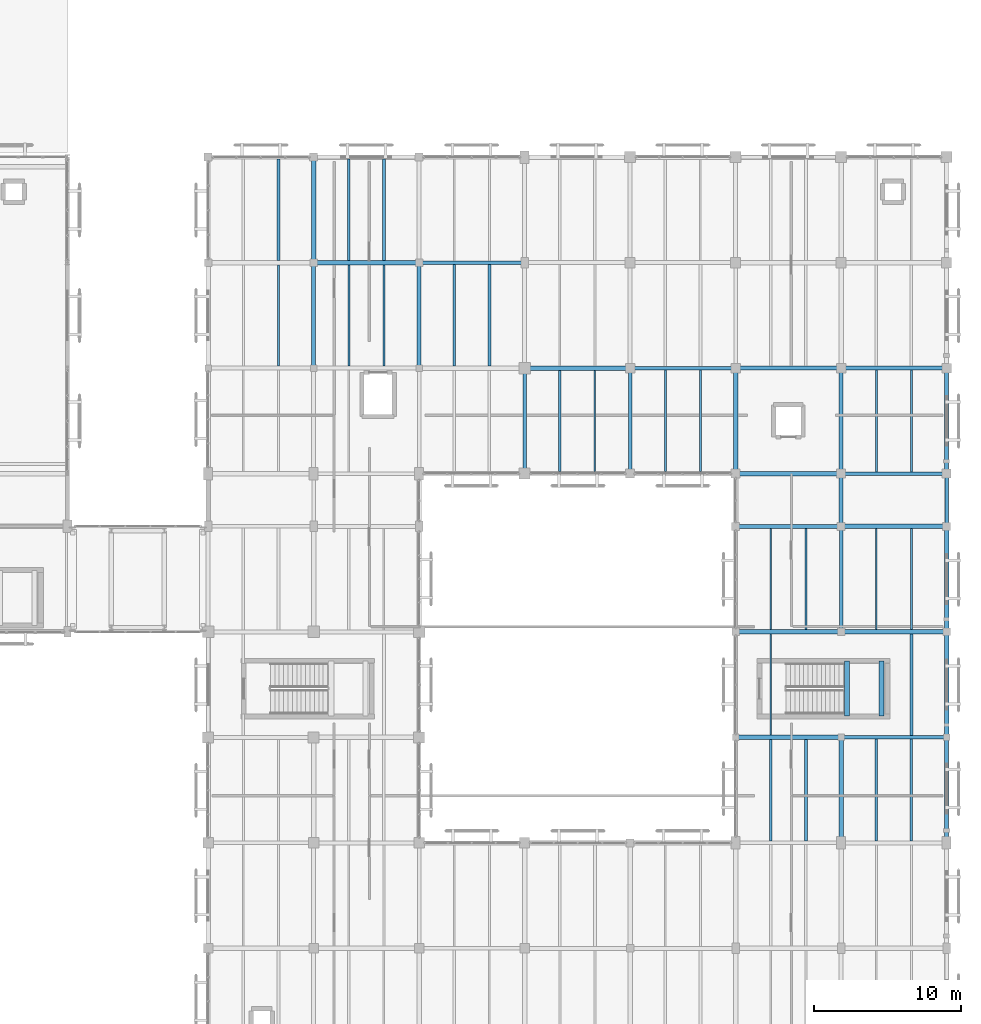
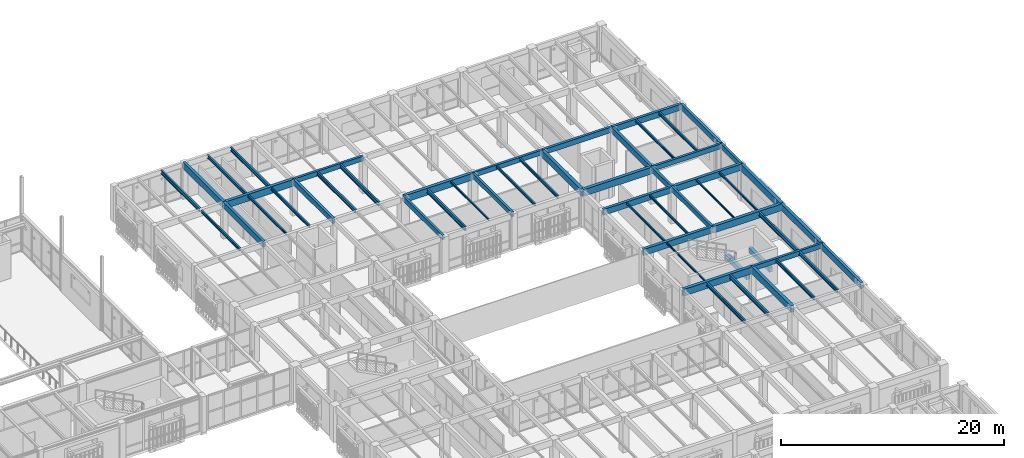
# One storey, part 110 of 170: 55 beams.
"""IFC4 building model written with IfcOpenShell, lengths in metres."""

from ifc_helpers import new_model, si_unit, direction, frame, origin, origin_2d, place, context, subcontext, project, spatial, rectangle, i_section, extrude, material, material_profile, profile_set, type_object, element, save


model = new_model("IFC4")

# Units and contexts
model_context = context("Model", 3, precision=1e-05, world=origin(), true_north=direction((0.0, 1.0)))
body_context = subcontext(model_context, "Body", "Model", "MODEL_VIEW")
ifc_project = project(units=[si_unit("LENGTHUNIT", "METRE"), si_unit("AREAUNIT", "SQUARE_METRE"), si_unit("VOLUMEUNIT", "CUBIC_METRE"), si_unit("PLANEANGLEUNIT", "RADIAN"), si_unit("MASSUNIT", "GRAM", prefix="KILO")], contexts=[model_context])

# Site, building, storey
site_placement = place(None, origin())
site = spatial("IfcSite", under=ifc_project, at=site_placement, CompositionType="ELEMENT")
building_placement = place(site_placement, origin())
building = spatial("IfcBuilding", under=site, at=building_placement, Name="Mazaris Harbour Polytechnic", CompositionType="ELEMENT")
storey_placement = place(building_placement, frame((0.0, 0.0, 5.39990234375)))
storey = spatial("IfcBuildingStorey", under=building, at=storey_placement, Name="L01", CompositionType="ELEMENT", Elevation=5.39990234375)

# Beams
ifc_material_1 = material(Name="Glulam GL32h", Category="wood")
ifc_material_profile_1 = material_profile(ifc_material_1, rectangle(XDim=0.239990234375, YDim=0.52001953125, at=origin_2d()), Name="RECT240x520")
ifc_profile_set_1 = profile_set([ifc_material_profile_1], Name="Glulam GL32h")
beam_type_1 = type_object("IfcBeamType", Name="Glulam Girder 240x520", PredefinedType="BEAM", material=ifc_profile_set_1)
for number, where, z_axis, x_axis, name in (
    (1, (165.60009765625, 68.39990234375, 3.66015625), (1.0, 0.0, 0.0), (0.0, 1.0, 0.0), "V5 L01 Girder 2930"),
    (2, (165.60009765625, 86.39990234375, 3.66015625), (1.0, 0.0, 0.0), (0.0, 1.0, 0.0), "V5 L01 Girder 2945"),
    (3, (151.199951171875, 93.60009765625, 3.66015625), (1.0, 0.0, 0.0), (0.0, 1.0, 0.0), "V5 L01 Girder 2950"),
    (4, (136.800048828125, 100.800048828125, 3.66015625), (1.0, 0.0, 0.0), (0.0, 1.0, 0.0), "V5 L01 Girder 2955"),
):
    element("IfcBeam", number, at=place(storey_placement, frame(where, z_axis=z_axis, x_axis=x_axis)), inside=storey, type_object=beam_type_1, Name=name, PredefinedType="BEAM", context=body_context, shape_type="SweptSolid", body=[
        extrude(rectangle(XDim=0.239990234375, YDim=0.52001953125, at=origin_2d()), origin(), (0.0, 0.0, 1.0), 7.199951171875),
    ])
for number, where, z_axis, x_axis, name in (
    (5, (144.0, 86.39990234375, 3.66015625), (0.0, 1.0, 0.0), (-1.0, 0.0, 0.0), "V5 L01 Tie Girder 2995"),
    (6, (151.199951171875, 86.39990234375, 3.66015625), (0.0, 1.0, 0.0), (-1.0, 0.0, 0.0), "V5 L01 Tie Girder 3000"),
):
    element("IfcBeam", number, at=place(storey_placement, frame(where, z_axis=z_axis, x_axis=x_axis)), inside=storey, type_object=beam_type_1, Name=name, PredefinedType="BEAM", context=body_context, shape_type="SweptSolid", body=[
        extrude(rectangle(XDim=0.239990234375, YDim=0.52001953125, at=origin_2d()), origin(), (0.0, 0.0, 1.0), 7.2001953125),
    ])
beam_1_placement = place(storey_placement, frame((165.60009765625, 75.60009765625, 3.66015625), z_axis=(0.0, 1.0, 0.0), x_axis=(-1.0, 0.0, 0.0)))
element("IfcBeam", 7, at=beam_1_placement, inside=storey, type_object=beam_type_1, Name="V5 L01 Tie Girder 3015", PredefinedType="BEAM", context=body_context, shape_type="SweptSolid", body=[
    extrude(rectangle(XDim=0.239990234375, YDim=0.52001953125, at=origin_2d()), origin(), (0.0, 0.0, 1.0), 7.199951171875),
])
ifc_material_2 = material(Name="Glulam GL32h", Category="wood")
ifc_material_profile_2 = material_profile(ifc_material_2, rectangle(XDim=0.239990234375, YDim=0.52001953125, at=origin_2d()), Name="RECT240x520")
ifc_profile_set_2 = profile_set([ifc_material_profile_2], Name="Glulam GL32h")
beam_type_2 = type_object("IfcBeamType", Name="Glulam Girder 240x520 Exterior", PredefinedType="BEAM", material=ifc_profile_set_2)
beam_2_placement = place(storey_placement, frame((172.800048828125, 82.800048828125, 3.66015625), z_axis=(0.0, 1.0, 0.0), x_axis=(-1.0, 0.0, 0.0)))
element("IfcBeam", 8, at=beam_2_placement, inside=storey, type_object=beam_type_2, Name="V5 L01 Tie Girder 3025", PredefinedType="BEAM", context=body_context, shape_type="SweptSolid", body=[
    extrude(rectangle(XDim=0.239990234375, YDim=0.52001953125, at=origin_2d()), origin(), (0.0, 0.0, 1.0), 3.599853515625),
])
ifc_material_3 = material(Name="Glulam GL32h", Category="wood")
ifc_material_profile_3 = material_profile(ifc_material_3, rectangle(XDim=0.260009765625, YDim=0.580078125, at=origin_2d()), Name="RECT260x580")
ifc_profile_set_3 = profile_set([ifc_material_profile_3], Name="Glulam GL32h")
beam_type_3 = type_object("IfcBeamType", Name="Glulam Girder 260x580", PredefinedType="BEAM", material=ifc_profile_set_3)
beam_3_placement = place(storey_placement, frame((158.39990234375, 93.60009765625, 3.630126953125), z_axis=(1.0, 0.0, 0.0), x_axis=(0.0, 1.0, 0.0)))
element("IfcBeam", 9, at=beam_3_placement, inside=storey, type_object=beam_type_3, Name="V5 L01 Girder 2951", PredefinedType="BEAM", context=body_context, shape_type="SweptSolid", body=[
    extrude(rectangle(XDim=0.260009765625, YDim=0.580078125, at=origin_2d()), origin(), (0.0, 0.0, 1.0), 7.2001953125),
])
beam_4_placement = place(storey_placement, frame((136.800048828125, 93.60009765625, 3.630126953125), z_axis=(0.0, 1.0, 0.0), x_axis=(-1.0, 0.0, 0.0)))
element("IfcBeam", 10, at=beam_4_placement, inside=storey, type_object=beam_type_3, Name="V5 L01 Tie Girder 2991", PredefinedType="BEAM", context=body_context, shape_type="SweptSolid", body=[
    extrude(rectangle(XDim=0.260009765625, YDim=0.580078125, at=origin_2d()), origin(), (0.0, 0.0, 1.0), 7.199951171875),
])
beam_5_placement = place(storey_placement, frame((165.60009765625, 82.800048828125, 3.630126953125), z_axis=(0.0, 1.0, 0.0), x_axis=(-1.0, 0.0, 0.0)))
element("IfcBeam", 11, at=beam_5_placement, inside=storey, type_object=beam_type_3, Name="V5 L01 Tie Girder 3016", PredefinedType="BEAM", context=body_context, shape_type="SweptSolid", body=[
    extrude(rectangle(XDim=0.260009765625, YDim=0.580078125, at=origin_2d()), origin(), (0.0, 0.0, 1.0), 3.599853515625),
])
ifc_material_4 = material(Name="Glulam GL32h", Category="wood")
ifc_material_profile_4 = material_profile(ifc_material_4, rectangle(XDim=0.260009765625, YDim=0.580078125, at=origin_2d()), Name="RECT260x580")
ifc_profile_set_4 = profile_set([ifc_material_profile_4], Name="Glulam GL32h")
beam_type_4 = type_object("IfcBeamType", Name="Glulam Girder 260x580 Exterior", PredefinedType="BEAM", material=ifc_profile_set_4)
beam_6_placement = place(storey_placement, frame((172.800048828125, 86.39990234375, 3.630126953125), z_axis=(0.0, 1.0, 0.0), x_axis=(-1.0, 0.0, 0.0)))
element("IfcBeam", 12, at=beam_6_placement, inside=storey, type_object=beam_type_4, Name="V5 L01 Tie Girder 3026", PredefinedType="BEAM", context=body_context, shape_type="SweptSolid", body=[
    extrude(rectangle(XDim=0.260009765625, YDim=0.580078125, at=origin_2d()), origin(), (0.0, 0.0, 1.0), 7.2001953125),
])
ifc_material_5 = material(Name="Glulam GL32h", Category="wood")
ifc_material_profile_5 = material_profile(ifc_material_5, rectangle(XDim=0.280029296875, YDim=0.639892578125, at=origin_2d()), Name="RECT280x640")
ifc_profile_set_5 = profile_set([ifc_material_profile_5], Name="Glulam GL32h")
beam_type_5 = type_object("IfcBeamType", Name="Glulam Girder 280x640", PredefinedType="BEAM", material=ifc_profile_set_5)
beam_7_placement = place(storey_placement, frame((158.39990234375, 82.800048828125, 3.60009765625), z_axis=(1.0, 0.0, 0.0), x_axis=(0.0, 1.0, 0.0)))
element("IfcBeam", 13, at=beam_7_placement, inside=storey, type_object=beam_type_5, Name="V5 L01 Girder 2937", PredefinedType="BEAM", context=body_context, shape_type="SweptSolid", body=[
    extrude(rectangle(XDim=0.280029296875, YDim=0.639892578125, at=origin_2d()), origin(), (0.0, 0.0, 1.0), 7.2001953125),
])
for number, where, z_axis, x_axis, name in (
    (14, (165.60009765625, 93.60009765625, 3.60009765625), (1.0, 0.0, 0.0), (0.0, 1.0, 0.0), "V5 L01 Girder 2952"),
    (15, (129.60009765625, 93.60009765625, 3.60009765625), (0.0, 1.0, 0.0), (-1.0, 0.0, 0.0), "V5 L01 Tie Girder 2982"),
):
    element("IfcBeam", number, at=place(storey_placement, frame(where, z_axis=z_axis, x_axis=x_axis)), inside=storey, type_object=beam_type_5, Name=name, PredefinedType="BEAM", context=body_context, shape_type="SweptSolid", body=[
        extrude(rectangle(XDim=0.280029296875, YDim=0.639892578125, at=origin_2d()), origin(), (0.0, 0.0, 1.0), 7.199951171875),
    ])
beam_8_placement = place(storey_placement, frame((165.60009765625, 86.39990234375, 3.60009765625), z_axis=(0.0, 1.0, 0.0), x_axis=(-1.0, 0.0, 0.0)))
element("IfcBeam", 16, at=beam_8_placement, inside=storey, type_object=beam_type_5, Name="V5 L01 Tie Girder 3017", PredefinedType="BEAM", context=body_context, shape_type="SweptSolid", body=[
    extrude(rectangle(XDim=0.280029296875, YDim=0.639892578125, at=origin_2d()), origin(), (0.0, 0.0, 1.0), 7.2001953125),
])
ifc_material_6 = material(Name="Glulam GL32h", Category="wood")
ifc_material_profile_6 = material_profile(ifc_material_6, rectangle(XDim=0.280029296875, YDim=0.639892578125, at=origin_2d()), Name="RECT280x640")
ifc_profile_set_6 = profile_set([ifc_material_profile_6], Name="Glulam GL32h")
beam_type_6 = type_object("IfcBeamType", Name="Glulam Girder 280x640 Exterior", PredefinedType="BEAM", material=ifc_profile_set_6)
beam_9_placement = place(storey_placement, frame((172.800048828125, 61.199951171875, 3.60009765625), z_axis=(0.0, 1.0, 0.0), x_axis=(-1.0, 0.0, 0.0)))
element("IfcBeam", 17, at=beam_9_placement, inside=storey, type_object=beam_type_6, Name="V5 L01 Tie Girder 3022", PredefinedType="BEAM", context=body_context, shape_type="SweptSolid", body=[
    extrude(rectangle(XDim=0.280029296875, YDim=0.639892578125, at=origin_2d()), origin(), (0.0, 0.0, 1.0), 7.199951171875),
])
ifc_material_7 = material(Name="Glulam GL32h", Category="wood")
ifc_material_profile_7 = material_profile(ifc_material_7, rectangle(XDim=0.300048828125, YDim=0.679931640625, at=origin_2d()), Name="RECT300x680")
ifc_profile_set_7 = profile_set([ifc_material_profile_7], Name="Glulam GL32h")
beam_type_7 = type_object("IfcBeamType", Name="Glulam Girder 300x680", PredefinedType="BEAM", material=ifc_profile_set_7)
beam_10_placement = place(storey_placement, frame((158.39990234375, 75.60009765625, 3.580078125), z_axis=(1.0, 0.0, 0.0), x_axis=(0.0, 1.0, 0.0)))
element("IfcBeam", 18, at=beam_10_placement, inside=storey, type_object=beam_type_7, Name="V5 L01 Girder 2933", PredefinedType="BEAM", context=body_context, shape_type="SweptSolid", body=[
    extrude(rectangle(XDim=0.300048828125, YDim=0.679931640625, at=origin_2d()), origin(), (0.0, 0.0, 1.0), 7.2001953125),
])
for number, where, z_axis, x_axis, name in (
    (19, (165.60009765625, 82.800048828125, 3.580078125), (1.0, 0.0, 0.0), (0.0, 1.0, 0.0), "V5 L01 Girder 2938"),
    (20, (129.60009765625, 100.800048828125, 3.580078125), (0.0, 1.0, 0.0), (-1.0, 0.0, 0.0), "V5 L01 Tie Girder 2983"),
):
    element("IfcBeam", number, at=place(storey_placement, frame(where, z_axis=z_axis, x_axis=x_axis)), inside=storey, type_object=beam_type_7, Name=name, PredefinedType="BEAM", context=body_context, shape_type="SweptSolid", body=[
        extrude(rectangle(XDim=0.300048828125, YDim=0.679931640625, at=origin_2d()), origin(), (0.0, 0.0, 1.0), 7.199951171875),
    ])
ifc_material_8 = material(Name="Glulam GL32h", Category="wood")
ifc_material_profile_8 = material_profile(ifc_material_8, rectangle(XDim=0.300048828125, YDim=0.679931640625, at=origin_2d()), Name="RECT300x680")
ifc_profile_set_8 = profile_set([ifc_material_profile_8], Name="Glulam GL32h")
beam_type_8 = type_object("IfcBeamType", Name="Glulam Girder 300x680 Exterior", PredefinedType="BEAM", material=ifc_profile_set_8)
beam_11_placement = place(storey_placement, frame((172.800048828125, 68.39990234375, 3.580078125), z_axis=(0.0, 1.0, 0.0), x_axis=(-1.0, 0.0, 0.0)))
element("IfcBeam", 21, at=beam_11_placement, inside=storey, type_object=beam_type_8, Name="V5 L01 Tie Girder 3023", PredefinedType="BEAM", context=body_context, shape_type="SweptSolid", body=[
    extrude(rectangle(XDim=0.300048828125, YDim=0.679931640625, at=origin_2d()), origin(), (0.0, 0.0, 1.0), 7.2001953125),
])
ifc_material_9 = material(Name="Glulam GL32h", Category="wood")
ifc_material_profile_9 = material_profile(ifc_material_9, rectangle(XDim=0.320068359375, YDim=0.739990234375, at=origin_2d()), Name="RECT320x740")
ifc_profile_set_9 = profile_set([ifc_material_profile_9], Name="Glulam GL32h")
beam_type_9 = type_object("IfcBeamType", Name="Glulam Girder 320x740", PredefinedType="BEAM", material=ifc_profile_set_9)
beam_12_placement = place(storey_placement, frame((158.39990234375, 68.39990234375, 3.550048828125), z_axis=(1.0, 0.0, 0.0), x_axis=(0.0, 1.0, 0.0)))
element("IfcBeam", 22, at=beam_12_placement, inside=storey, type_object=beam_type_9, Name="V5 L01 Girder 2929", PredefinedType="BEAM", context=body_context, shape_type="SweptSolid", body=[
    extrude(rectangle(XDim=0.320068359375, YDim=0.739990234375, at=origin_2d()), origin(), (0.0, 0.0, 1.0), 7.2001953125),
])
beam_13_placement = place(storey_placement, frame((165.60009765625, 75.60009765625, 3.550048828125), z_axis=(1.0, 0.0, 0.0), x_axis=(0.0, 1.0, 0.0)))
element("IfcBeam", 23, at=beam_13_placement, inside=storey, type_object=beam_type_9, Name="V5 L01 Girder 2934", PredefinedType="BEAM", context=body_context, shape_type="SweptSolid", body=[
    extrude(rectangle(XDim=0.320068359375, YDim=0.739990234375, at=origin_2d()), origin(), (0.0, 0.0, 1.0), 7.199951171875),
])
beam_14_placement = place(storey_placement, frame((158.39990234375, 86.39990234375, 3.550048828125), z_axis=(1.0, 0.0, 0.0), x_axis=(0.0, 1.0, 0.0)))
element("IfcBeam", 24, at=beam_14_placement, inside=storey, type_object=beam_type_9, Name="V5 L01 Girder 2944", PredefinedType="BEAM", context=body_context, shape_type="SweptSolid", body=[
    extrude(rectangle(XDim=0.320068359375, YDim=0.739990234375, at=origin_2d()), origin(), (0.0, 0.0, 1.0), 7.2001953125),
])
for number, where, z_axis, x_axis, name in (
    (25, (144.0, 93.60009765625, 3.550048828125), (1.0, 0.0, 0.0), (0.0, 1.0, 0.0), "V5 L01 Girder 2949"),
    (26, (129.60009765625, 100.800048828125, 3.550048828125), (1.0, 0.0, 0.0), (0.0, 1.0, 0.0), "V5 L01 Girder 2954"),
):
    element("IfcBeam", number, at=place(storey_placement, frame(where, z_axis=z_axis, x_axis=x_axis)), inside=storey, type_object=beam_type_9, Name=name, PredefinedType="BEAM", context=body_context, shape_type="SweptSolid", body=[
        extrude(rectangle(XDim=0.320068359375, YDim=0.739990234375, at=origin_2d()), origin(), (0.0, 0.0, 1.0), 7.199951171875),
    ])
beam_15_placement = place(storey_placement, frame((158.39990234375, 86.39990234375, 3.550048828125), z_axis=(0.0, 1.0, 0.0), x_axis=(-1.0, 0.0, 0.0)))
element("IfcBeam", 27, at=beam_15_placement, inside=storey, type_object=beam_type_9, Name="V5 L01 Tie Girder 3009", PredefinedType="BEAM", context=body_context, shape_type="SweptSolid", body=[
    extrude(rectangle(XDim=0.320068359375, YDim=0.739990234375, at=origin_2d()), origin(), (0.0, 0.0, 1.0), 7.2001953125),
])
beam_16_placement = place(storey_placement, frame((165.60009765625, 61.199951171875, 3.550048828125), z_axis=(0.0, 1.0, 0.0), x_axis=(-1.0, 0.0, 0.0)))
element("IfcBeam", 28, at=beam_16_placement, inside=storey, type_object=beam_type_9, Name="V5 L01 Tie Girder 3014", PredefinedType="BEAM", context=body_context, shape_type="SweptSolid", body=[
    extrude(rectangle(XDim=0.320068359375, YDim=0.739990234375, at=origin_2d()), origin(), (0.0, 0.0, 1.0), 7.199951171875),
])
ifc_material_10 = material(Name="Glulam GL32h", Category="wood")
ifc_material_profile_10 = material_profile(ifc_material_10, rectangle(XDim=0.320068359375, YDim=0.739990234375, at=origin_2d()), Name="RECT320x740")
ifc_profile_set_10 = profile_set([ifc_material_profile_10], Name="Glulam GL32h")
beam_type_10 = type_object("IfcBeamType", Name="Glulam Girder 320x740 Exterior", PredefinedType="BEAM", material=ifc_profile_set_10)
beam_17_placement = place(storey_placement, frame((172.800048828125, 75.60009765625, 3.550048828125), z_axis=(0.0, 1.0, 0.0), x_axis=(-1.0, 0.0, 0.0)))
element("IfcBeam", 29, at=beam_17_placement, inside=storey, type_object=beam_type_10, Name="V5 L01 Tie Girder 3024", PredefinedType="BEAM", context=body_context, shape_type="SweptSolid", body=[
    extrude(rectangle(XDim=0.320068359375, YDim=0.739990234375, at=origin_2d()), origin(), (0.0, 0.0, 1.0), 7.199951171875),
])
ifc_material_11 = material(Name="Concrete C40/50", Category="concrete")
ifc_material_profile_11 = material_profile(ifc_material_11, rectangle(XDim=0.35009765625, YDim=0.52001953125, at=origin_2d()), Name="RECT350x520")
ifc_profile_set_11 = profile_set([ifc_material_profile_11], Name="Concrete C40/50")
beam_type_11 = type_object("IfcBeamType", Name="RC Landing Bearer 350x520", PredefinedType="BEAM", material=ifc_profile_set_11)
for number, where, z_axis, x_axis, name in (
    (30, (166.0, 69.85009765625, 1.64013671875), (0.0, 1.0, 0.0), (-1.0, 0.0, 0.0), "Core ST10 L01 Landing Bearer"),
    (31, (168.35009765625, 69.85009765625, 1.64013671875), (0.0, 1.0, 0.0), (-1.0, 0.0, 0.0), "Core ST10 L01 Landing Bearer"),
):
    element("IfcBeam", number, at=place(storey_placement, frame(where, z_axis=z_axis, x_axis=x_axis)), inside=storey, type_object=beam_type_11, Name=name, PredefinedType="BEAM", context=body_context, shape_type="SweptSolid", body=[
        extrude(rectangle(XDim=0.35009765625, YDim=0.52001953125, at=origin_2d()), origin(), (0.0, 0.0, 1.0), 3.75),
    ])
ifc_material_12 = material(Name="Steel S355", Category="steel")
ifc_material_profile_12 = material_profile(ifc_material_12, i_section(OverallWidth=0.10009765625, OverallDepth=0.199951171875, WebThickness=0.005615234375, FlangeThickness=0.008544921875, FilletRadius=0.011962890625, at=origin_2d()), Name="IPE 200")
ifc_profile_set_12 = profile_set([ifc_material_profile_12], Name="Steel S355")
beam_type_12 = type_object("IfcBeamType", Name="Steel Joist IPE200", PredefinedType="JOIST", material=ifc_profile_set_12)
beam_18_placement = place(storey_placement, frame((148.800048828125, 86.5400390625, 3.820068359375), z_axis=(0.0, 1.0, 0.0), x_axis=(-1.0, 0.0, 0.0)))
element("IfcBeam", 32, at=beam_18_placement, inside=storey, type_object=beam_type_12, Name="V5 L01 Floor Joist 3073", PredefinedType="JOIST", context=body_context, shape_type="SweptSolid", body=[
    extrude(i_section(OverallWidth=0.10009765625, OverallDepth=0.199951171875, WebThickness=0.005615234375, FlangeThickness=0.008544921875, FilletRadius=0.011962890625, at=origin_2d()), origin(), (0.0, 0.0, 1.0), 6.89990234375),
])
for number, where, z_axis, x_axis, name in (
    (33, (160.800048828125, 68.56005859375, 3.820068359375), (0.0, 1.0, 0.0), (-1.0, 0.0, 0.0), "V5 L01 Floor Joist 3094"),
    (34, (168.0, 75.760009765625, 3.820068359375), (0.0, 1.0, 0.0), (-1.0, 0.0, 0.0), "V5 L01 Floor Joist 3108"),
):
    element("IfcBeam", number, at=place(storey_placement, frame(where, z_axis=z_axis, x_axis=x_axis)), inside=storey, type_object=beam_type_12, Name=name, PredefinedType="JOIST", context=body_context, shape_type="SweptSolid", body=[
        extrude(i_section(OverallWidth=0.10009765625, OverallDepth=0.199951171875, WebThickness=0.005615234375, FlangeThickness=0.008544921875, FilletRadius=0.011962890625, at=origin_2d()), origin(), (0.0, 0.0, 1.0), 6.889892578125),
    ])
ifc_material_13 = material(Name="Steel S355", Category="steel")
ifc_material_profile_13 = material_profile(ifc_material_13, i_section(OverallWidth=0.1201171875, OverallDepth=0.239990234375, WebThickness=0.006103515625, FlangeThickness=0.009765625, FilletRadius=0.014892578125, at=origin_2d()), Name="IPE 240")
ifc_profile_set_13 = profile_set([ifc_material_profile_13], Name="Steel S355")
beam_type_13 = type_object("IfcBeamType", Name="Steel Joist IPE240", PredefinedType="JOIST", material=ifc_profile_set_13)
beam_19_placement = place(storey_placement, frame((160.800048828125, 75.75, 3.800048828125), z_axis=(0.0, 1.0, 0.0), x_axis=(-1.0, 0.0, 0.0)))
element("IfcBeam", 35, at=beam_19_placement, inside=storey, type_object=beam_type_13, Name="V5 L01 Floor Joist 3095", PredefinedType="JOIST", context=body_context, shape_type="SweptSolid", body=[
    extrude(i_section(OverallWidth=0.1201171875, OverallDepth=0.239990234375, WebThickness=0.006103515625, FlangeThickness=0.009765625, FilletRadius=0.014892578125, at=origin_2d()), origin(), (0.0, 0.0, 1.0), 6.909912109375),
])
beam_20_placement = place(storey_placement, frame((170.39990234375, 75.760009765625, 3.800048828125), z_axis=(0.0, 1.0, 0.0), x_axis=(-1.0, 0.0, 0.0)))
element("IfcBeam", 36, at=beam_20_placement, inside=storey, type_object=beam_type_13, Name="V5 L01 Floor Joist 3109", PredefinedType="JOIST", context=body_context, shape_type="SweptSolid", body=[
    extrude(i_section(OverallWidth=0.1201171875, OverallDepth=0.239990234375, WebThickness=0.006103515625, FlangeThickness=0.009765625, FilletRadius=0.014892578125, at=origin_2d()), origin(), (0.0, 0.0, 1.0), 6.889892578125),
])
ifc_material_14 = material(Name="Steel S355", Category="steel")
ifc_material_profile_14 = material_profile(ifc_material_14, i_section(OverallWidth=0.135009765625, OverallDepth=0.27001953125, WebThickness=0.006591796875, FlangeThickness=0.01025390625, FilletRadius=0.014892578125, at=origin_2d()), Name="IPE 270")
ifc_profile_set_14 = profile_set([ifc_material_profile_14], Name="Steel S355")
beam_type_14 = type_object("IfcBeamType", Name="Steel Joist IPE270", PredefinedType="JOIST", material=ifc_profile_set_14)
beam_21_placement = place(storey_placement, frame((132.0, 93.739990234375, 3.78515625), z_axis=(0.0, 1.0, 0.0), x_axis=(-1.0, 0.0, 0.0)))
element("IfcBeam", 37, at=beam_21_placement, inside=storey, type_object=beam_type_14, Name="V5 L01 Floor Joist 3054", PredefinedType="JOIST", context=body_context, shape_type="SweptSolid", body=[
    extrude(i_section(OverallWidth=0.135009765625, OverallDepth=0.27001953125, WebThickness=0.006591796875, FlangeThickness=0.01025390625, FilletRadius=0.014892578125, at=origin_2d()), origin(), (0.0, 0.0, 1.0), 6.89990234375),
])
beam_22_placement = place(storey_placement, frame((153.60009765625, 86.550048828125, 3.78515625), z_axis=(0.0, 1.0, 0.0), x_axis=(-1.0, 0.0, 0.0)))
element("IfcBeam", 38, at=beam_22_placement, inside=storey, type_object=beam_type_14, Name="V5 L01 Floor Joist 3082", PredefinedType="JOIST", context=body_context, shape_type="SweptSolid", body=[
    extrude(i_section(OverallWidth=0.135009765625, OverallDepth=0.27001953125, WebThickness=0.006591796875, FlangeThickness=0.01025390625, FilletRadius=0.014892578125, at=origin_2d()), origin(), (0.0, 0.0, 1.0), 6.929931640625),
])
beam_23_placement = place(storey_placement, frame((163.199951171875, 75.75, 3.78515625), z_axis=(0.0, 1.0, 0.0), x_axis=(-1.0, 0.0, 0.0)))
element("IfcBeam", 39, at=beam_23_placement, inside=storey, type_object=beam_type_14, Name="V5 L01 Floor Joist 3096", PredefinedType="JOIST", context=body_context, shape_type="SweptSolid", body=[
    extrude(i_section(OverallWidth=0.135009765625, OverallDepth=0.27001953125, WebThickness=0.006591796875, FlangeThickness=0.01025390625, FilletRadius=0.014892578125, at=origin_2d()), origin(), (0.0, 0.0, 1.0), 6.909912109375),
])
beam_24_placement = place(storey_placement, frame((168.0, 86.52001953125, 3.78515625), z_axis=(0.0, 1.0, 0.0), x_axis=(-1.0, 0.0, 0.0)))
element("IfcBeam", 40, at=beam_24_placement, inside=storey, type_object=beam_type_14, Name="V5 L01 Floor Joist 3110", PredefinedType="JOIST", context=body_context, shape_type="SweptSolid", body=[
    extrude(i_section(OverallWidth=0.135009765625, OverallDepth=0.27001953125, WebThickness=0.006591796875, FlangeThickness=0.01025390625, FilletRadius=0.014892578125, at=origin_2d()), origin(), (0.0, 0.0, 1.0), 6.93994140625),
])
ifc_material_15 = material(Name="Steel S355", Category="steel")
ifc_material_profile_15 = material_profile(ifc_material_15, i_section(OverallWidth=0.14990234375, OverallDepth=0.300048828125, WebThickness=0.007080078125, FlangeThickness=0.0107421875, FilletRadius=0.014892578125, at=origin_2d()), Name="IPE 300")
ifc_profile_set_15 = profile_set([ifc_material_profile_15], Name="Steel S355")
beam_type_15 = type_object("IfcBeamType", Name="Steel Joist IPE300", PredefinedType="JOIST", material=ifc_profile_set_15)
beam_25_placement = place(storey_placement, frame((127.199951171875, 93.72998046875, 3.77001953125), z_axis=(0.0, 1.0, 0.0), x_axis=(-1.0, 0.0, 0.0)))
element("IfcBeam", 41, at=beam_25_placement, inside=storey, type_object=beam_type_15, Name="V5 L01 Floor Joist 3041", PredefinedType="JOIST", context=body_context, shape_type="SweptSolid", body=[
    extrude(i_section(OverallWidth=0.14990234375, OverallDepth=0.300048828125, WebThickness=0.007080078125, FlangeThickness=0.0107421875, FilletRadius=0.014892578125, at=origin_2d()), origin(), (0.0, 0.0, 1.0), 6.919921875),
])
beam_26_placement = place(storey_placement, frame((134.39990234375, 93.739990234375, 3.77001953125), z_axis=(0.0, 1.0, 0.0), x_axis=(-1.0, 0.0, 0.0)))
element("IfcBeam", 42, at=beam_26_placement, inside=storey, type_object=beam_type_15, Name="V5 L01 Floor Joist 3055", PredefinedType="JOIST", context=body_context, shape_type="SweptSolid", body=[
    extrude(i_section(OverallWidth=0.14990234375, OverallDepth=0.300048828125, WebThickness=0.007080078125, FlangeThickness=0.0107421875, FilletRadius=0.014892578125, at=origin_2d()), origin(), (0.0, 0.0, 1.0), 6.89990234375),
])
beam_27_placement = place(storey_placement, frame((156.0, 86.550048828125, 3.77001953125), z_axis=(0.0, 1.0, 0.0), x_axis=(-1.0, 0.0, 0.0)))
element("IfcBeam", 43, at=beam_27_placement, inside=storey, type_object=beam_type_15, Name="V5 L01 Floor Joist 3083", PredefinedType="JOIST", context=body_context, shape_type="SweptSolid", body=[
    extrude(i_section(OverallWidth=0.14990234375, OverallDepth=0.300048828125, WebThickness=0.007080078125, FlangeThickness=0.0107421875, FilletRadius=0.014892578125, at=origin_2d()), origin(), (0.0, 0.0, 1.0), 6.929931640625),
])
beam_28_placement = place(storey_placement, frame((170.39990234375, 86.52001953125, 3.77001953125), z_axis=(0.0, 1.0, 0.0), x_axis=(-1.0, 0.0, 0.0)))
element("IfcBeam", 44, at=beam_28_placement, inside=storey, type_object=beam_type_15, Name="V5 L01 Floor Joist 3111", PredefinedType="JOIST", context=body_context, shape_type="SweptSolid", body=[
    extrude(i_section(OverallWidth=0.14990234375, OverallDepth=0.300048828125, WebThickness=0.007080078125, FlangeThickness=0.0107421875, FilletRadius=0.014892578125, at=origin_2d()), origin(), (0.0, 0.0, 1.0), 6.93994140625),
])
ifc_material_16 = material(Name="Steel S355", Category="steel")
ifc_material_profile_16 = material_profile(ifc_material_16, i_section(OverallWidth=0.169921875, OverallDepth=0.360107421875, WebThickness=0.008056640625, FlangeThickness=0.0126953125, FilletRadius=0.01806640625, at=origin_2d()), Name="IPE 360")
ifc_profile_set_16 = profile_set([ifc_material_profile_16], Name="Steel S355")
beam_type_16 = type_object("IfcBeamType", Name="Steel Joist IPE360", PredefinedType="JOIST", material=ifc_profile_set_16)
beam_29_placement = place(storey_placement, frame((132.0, 100.9599609375, 3.739990234375), z_axis=(0.0, 1.0, 0.0), x_axis=(-1.0, 0.0, 0.0)))
element("IfcBeam", 45, at=beam_29_placement, inside=storey, type_object=beam_type_16, Name="V5 L01 Floor Joist 3056", PredefinedType="JOIST", context=body_context, shape_type="SweptSolid", body=[
    extrude(i_section(OverallWidth=0.169921875, OverallDepth=0.360107421875, WebThickness=0.008056640625, FlangeThickness=0.0126953125, FilletRadius=0.01806640625, at=origin_2d()), origin(), (0.0, 0.0, 1.0), 6.91015625),
])
beam_30_placement = place(storey_placement, frame((168.0, 61.330078125, 3.739990234375), z_axis=(0.0, 1.0, 0.0), x_axis=(-1.0, 0.0, 0.0)))
element("IfcBeam", 46, at=beam_30_placement, inside=storey, type_object=beam_type_16, Name="V5 L01 Floor Joist 3105", PredefinedType="JOIST", context=body_context, shape_type="SweptSolid", body=[
    extrude(i_section(OverallWidth=0.169921875, OverallDepth=0.360107421875, WebThickness=0.008056640625, FlangeThickness=0.0126953125, FilletRadius=0.01806640625, at=origin_2d()), origin(), (0.0, 0.0, 1.0), 6.949951171875),
])
ifc_material_17 = material(Name="Steel S355", Category="steel")
ifc_material_profile_17 = material_profile(ifc_material_17, i_section(OverallWidth=0.179931640625, OverallDepth=0.39990234375, WebThickness=0.008544921875, FlangeThickness=0.013427734375, FilletRadius=0.02099609375, at=origin_2d()), Name="IPE 400")
ifc_profile_set_17 = profile_set([ifc_material_profile_17], Name="Steel S355")
beam_type_17 = type_object("IfcBeamType", Name="Steel Joist IPE400", PredefinedType="JOIST", material=ifc_profile_set_17)
beam_31_placement = place(storey_placement, frame((127.199951171875, 100.949951171875, 3.72021484375), z_axis=(0.0, 1.0, 0.0), x_axis=(-1.0, 0.0, 0.0)))
element("IfcBeam", 47, at=beam_31_placement, inside=storey, type_object=beam_type_17, Name="V5 L01 Floor Joist 3043", PredefinedType="JOIST", context=body_context, shape_type="SweptSolid", body=[
    extrude(i_section(OverallWidth=0.179931640625, OverallDepth=0.39990234375, WebThickness=0.008544921875, FlangeThickness=0.013427734375, FilletRadius=0.02099609375, at=origin_2d()), origin(), (0.0, 0.0, 1.0), 6.929931640625),
])
beam_32_placement = place(storey_placement, frame((134.39990234375, 100.9599609375, 3.72021484375), z_axis=(0.0, 1.0, 0.0), x_axis=(-1.0, 0.0, 0.0)))
element("IfcBeam", 48, at=beam_32_placement, inside=storey, type_object=beam_type_17, Name="V5 L01 Floor Joist 3057", PredefinedType="JOIST", context=body_context, shape_type="SweptSolid", body=[
    extrude(i_section(OverallWidth=0.179931640625, OverallDepth=0.39990234375, WebThickness=0.008544921875, FlangeThickness=0.013427734375, FilletRadius=0.02099609375, at=origin_2d()), origin(), (0.0, 0.0, 1.0), 6.91015625),
])
beam_33_placement = place(storey_placement, frame((139.199951171875, 93.75, 3.72021484375), z_axis=(0.0, 1.0, 0.0), x_axis=(-1.0, 0.0, 0.0)))
element("IfcBeam", 49, at=beam_33_placement, inside=storey, type_object=beam_type_17, Name="V5 L01 Floor Joist 3064", PredefinedType="JOIST", context=body_context, shape_type="SweptSolid", body=[
    extrude(i_section(OverallWidth=0.179931640625, OverallDepth=0.39990234375, WebThickness=0.008544921875, FlangeThickness=0.013427734375, FilletRadius=0.02099609375, at=origin_2d()), origin(), (0.0, 0.0, 1.0), 6.929931640625),
])
beam_34_placement = place(storey_placement, frame((160.800048828125, 61.320068359375, 3.72021484375), z_axis=(0.0, 1.0, 0.0), x_axis=(-1.0, 0.0, 0.0)))
element("IfcBeam", 50, at=beam_34_placement, inside=storey, type_object=beam_type_17, Name="V5 L01 Floor Joist 3092", PredefinedType="JOIST", context=body_context, shape_type="SweptSolid", body=[
    extrude(i_section(OverallWidth=0.179931640625, OverallDepth=0.39990234375, WebThickness=0.008544921875, FlangeThickness=0.013427734375, FilletRadius=0.02099609375, at=origin_2d()), origin(), (0.0, 0.0, 1.0), 6.919921875),
])
beam_35_placement = place(storey_placement, frame((170.39990234375, 61.330078125, 3.72021484375), z_axis=(0.0, 1.0, 0.0), x_axis=(-1.0, 0.0, 0.0)))
element("IfcBeam", 51, at=beam_35_placement, inside=storey, type_object=beam_type_17, Name="V5 L01 Floor Joist 3106", PredefinedType="JOIST", context=body_context, shape_type="SweptSolid", body=[
    extrude(i_section(OverallWidth=0.179931640625, OverallDepth=0.39990234375, WebThickness=0.008544921875, FlangeThickness=0.013427734375, FilletRadius=0.02099609375, at=origin_2d()), origin(), (0.0, 0.0, 1.0), 6.949951171875),
])
ifc_material_18 = material(Name="Steel S355", Category="steel")
ifc_material_profile_18 = material_profile(ifc_material_18, i_section(OverallWidth=0.18994140625, OverallDepth=0.449951171875, WebThickness=0.009521484375, FlangeThickness=0.0146484375, FilletRadius=0.02099609375, at=origin_2d()), Name="IPE 450")
ifc_profile_set_18 = profile_set([ifc_material_profile_18], Name="Steel S355")
beam_type_18 = type_object("IfcBeamType", Name="Steel Joist IPE450", PredefinedType="JOIST", material=ifc_profile_set_18)
beam_36_placement = place(storey_placement, frame((141.60009765625, 93.75, 3.695068359375), z_axis=(0.0, 1.0, 0.0), x_axis=(-1.0, 0.0, 0.0)))
element("IfcBeam", 52, at=beam_36_placement, inside=storey, type_object=beam_type_18, Name="V5 L01 Floor Joist 3065", PredefinedType="JOIST", context=body_context, shape_type="SweptSolid", body=[
    extrude(i_section(OverallWidth=0.18994140625, OverallDepth=0.449951171875, WebThickness=0.009521484375, FlangeThickness=0.0146484375, FilletRadius=0.02099609375, at=origin_2d()), origin(), (0.0, 0.0, 1.0), 6.929931640625),
])
beam_37_placement = place(storey_placement, frame((146.39990234375, 86.5400390625, 3.695068359375), z_axis=(0.0, 1.0, 0.0), x_axis=(-1.0, 0.0, 0.0)))
element("IfcBeam", 53, at=beam_37_placement, inside=storey, type_object=beam_type_18, Name="V5 L01 Floor Joist 3072", PredefinedType="JOIST", context=body_context, shape_type="SweptSolid", body=[
    extrude(i_section(OverallWidth=0.18994140625, OverallDepth=0.449951171875, WebThickness=0.009521484375, FlangeThickness=0.0146484375, FilletRadius=0.02099609375, at=origin_2d()), origin(), (0.0, 0.0, 1.0), 6.89990234375),
])
for number, where, z_axis, x_axis, name in (
    (54, (163.199951171875, 61.320068359375, 3.695068359375), (0.0, 1.0, 0.0), (-1.0, 0.0, 0.0), "V5 L01 Floor Joist 3093"),
    (55, (170.39990234375, 68.52001953125, 3.695068359375), (0.0, 1.0, 0.0), (-1.0, 0.0, 0.0), "V5 L01 Floor Joist 3107"),
):
    element("IfcBeam", number, at=place(storey_placement, frame(where, z_axis=z_axis, x_axis=x_axis)), inside=storey, type_object=beam_type_18, Name=name, PredefinedType="JOIST", context=body_context, shape_type="SweptSolid", body=[
        extrude(i_section(OverallWidth=0.18994140625, OverallDepth=0.449951171875, WebThickness=0.009521484375, FlangeThickness=0.0146484375, FilletRadius=0.02099609375, at=origin_2d()), origin(), (0.0, 0.0, 1.0), 6.919921875),
    ])

save(model, "model.ifc")
